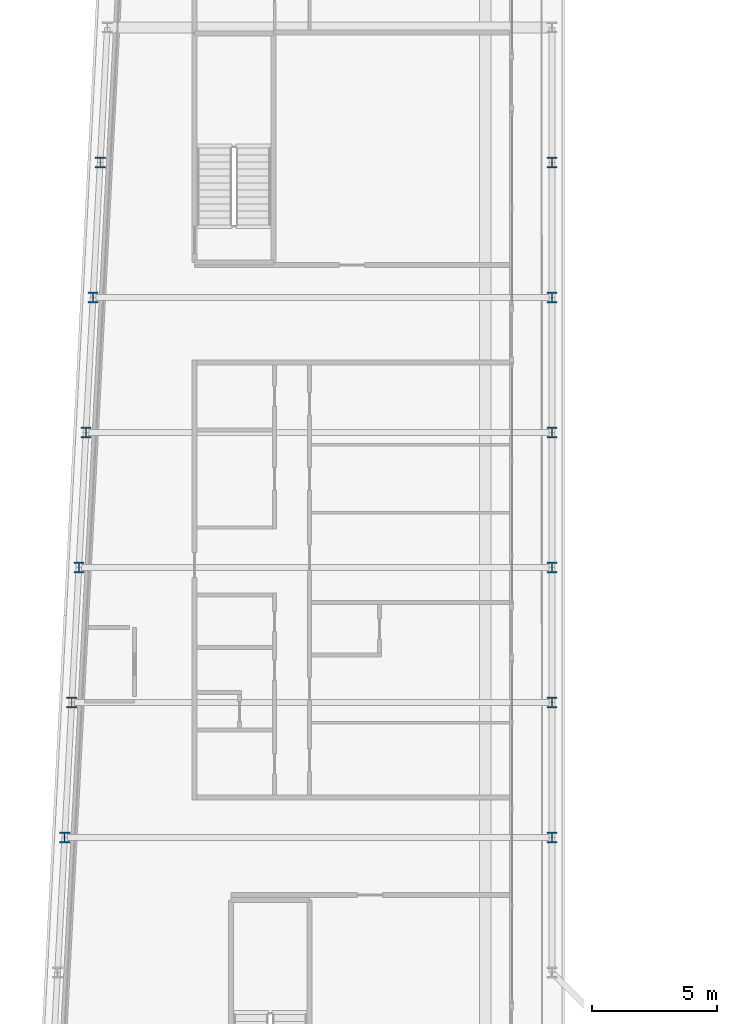
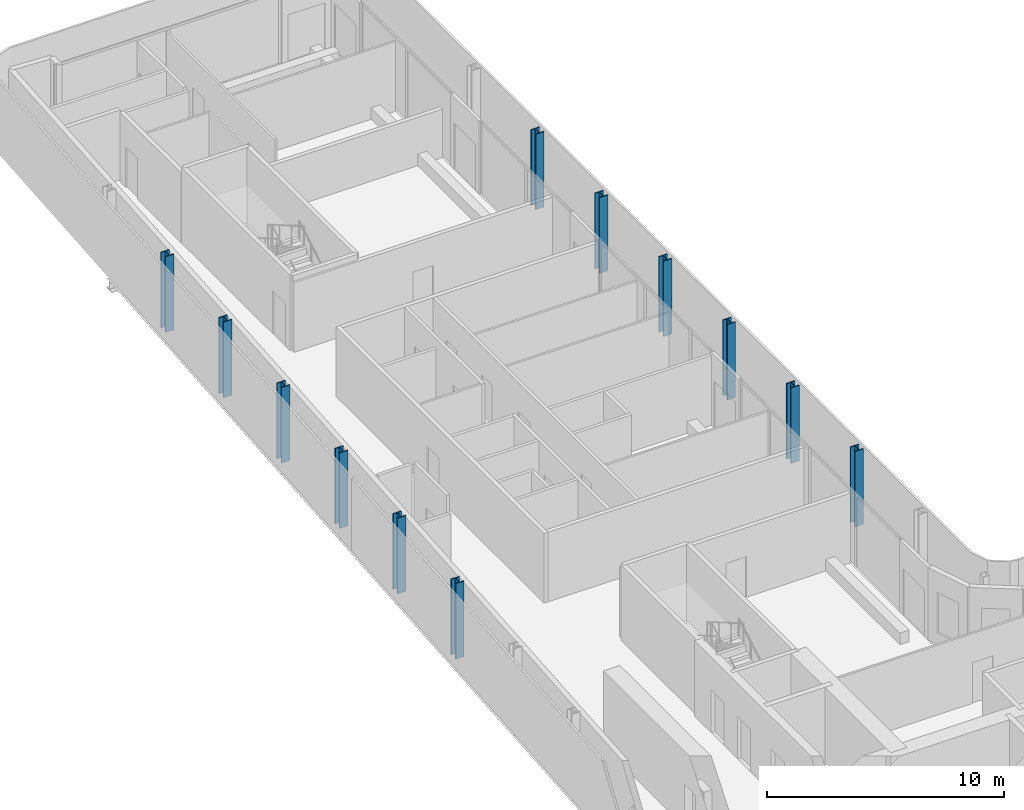
# One storey, part 3 of 29: 12 columns.
"""IFC4 building model written with IfcOpenShell, lengths in metres."""

from ifc_helpers import new_model, si_unit, direction, frame, origin, origin_2d, place, context, subcontext, project, spatial, i_section, extrude, material, material_profile, profile_set, type_object, element, save


model = new_model("IFC4")

# Units and contexts
model_context = context("Model", 3, precision=1e-05, world=origin(), true_north=direction((0.0, 1.0)))
body_context = subcontext(model_context, "Body", "Model", "MODEL_VIEW")
ifc_project = project(units=[si_unit("LENGTHUNIT", "METRE"), si_unit("AREAUNIT", "SQUARE_METRE"), si_unit("VOLUMEUNIT", "CUBIC_METRE"), si_unit("PLANEANGLEUNIT", "RADIAN"), si_unit("MASSUNIT", "GRAM", prefix="KILO")], contexts=[model_context])

# Site, building, storey
site_placement = place(None, origin())
site = spatial("IfcSite", under=ifc_project, at=site_placement, CompositionType="ELEMENT")
building_placement = place(site_placement, origin())
building = spatial("IfcBuilding", under=site, at=building_placement, Name="Kheshtan School and Residences Tower", CompositionType="ELEMENT")
storey_placement = place(building_placement, frame((0.0, 0.0, 183.800048828125)))
storey = spatial("IfcBuildingStorey", under=building, at=storey_placement, Name="L43", CompositionType="ELEMENT", Elevation=183.800048828125)

# Columns
ifc_material = material(Name="Steel ASTM A992 Grade 50", Category="steel")
ifc_material_profile = material_profile(ifc_material, i_section(OverallWidth=0.408935546875, OverallDepth=0.425048828125, WebThickness=0.03271484375, FlangeThickness=0.052490234375, FilletRadius=0.0126953125, at=origin_2d()), Name="W360x421")
ifc_profile_set = profile_set([ifc_material_profile], Name="Steel ASTM A992 Grade 50")
column_type = type_object("IfcColumnType", Name="Column C3 W360x421 ASTM A992 Grade 50", PredefinedType="COLUMN", material=ifc_profile_set)
for number, where, z_axis, x_axis, name in (
    (1, (28.10595703125, 56.39990234375, 0.0), (0.0, 0.0, 1.0), (1.0, 0.0, 0.0), "Column C080"),
    (2, (47.60009765625, 56.39990234375, 0.0), (0.0, 0.0, 1.0), (1.0, 0.0, 0.0), "Column C081"),
    (3, (28.389892578125, 61.800048828125, 0.0), (0.0, 0.0, 1.0), (1.0, 0.0, 0.0), "Column C082"),
    (4, (47.60009765625, 61.800048828125, 0.0), (0.0, 0.0, 1.0), (1.0, 0.0, 0.0), "Column C083"),
    (5, (28.674072265625, 67.199951171875, 0.0), (0.0, 0.0, 1.0), (1.0, 0.0, 0.0), "Column C084"),
    (6, (47.60009765625, 67.199951171875, 0.0), (0.0, 0.0, 1.0), (1.0, 0.0, 0.0), "Column C085"),
    (7, (28.9580078125, 72.60009765625, 0.0), (0.0, 0.0, 1.0), (1.0, 0.0, 0.0), "Column C086"),
    (8, (47.60009765625, 72.60009765625, 0.0), (0.0, 0.0, 1.0), (1.0, 0.0, 0.0), "Column C087"),
    (9, (29.242919921875, 78.0, 0.0), (0.0, 0.0, 1.0), (1.0, 0.0, 0.0), "Column C088"),
    (10, (47.60009765625, 78.0, 0.0), (0.0, 0.0, 1.0), (1.0, 0.0, 0.0), "Column C089"),
    (11, (29.527099609375, 83.39990234375, 0.0), (0.0, 0.0, 1.0), (1.0, 0.0, 0.0), "Column C090"),
    (12, (47.60009765625, 83.39990234375, 0.0), (0.0, 0.0, 1.0), (1.0, 0.0, 0.0), "Column C091"),
):
    element("IfcColumn", number, at=place(storey_placement, frame(where, z_axis=z_axis, x_axis=x_axis)), inside=storey, type_object=column_type, Name=name, PredefinedType="COLUMN", context=body_context, shape_type="SweptSolid", body=[
        extrude(i_section(OverallWidth=0.408935546875, OverallDepth=0.425048828125, WebThickness=0.03271484375, FlangeThickness=0.052490234375, FilletRadius=0.0126953125, at=origin_2d()), origin(), (0.0, 0.0, 1.0), 3.89990234375),
    ])

save(model, "model.ifc")
